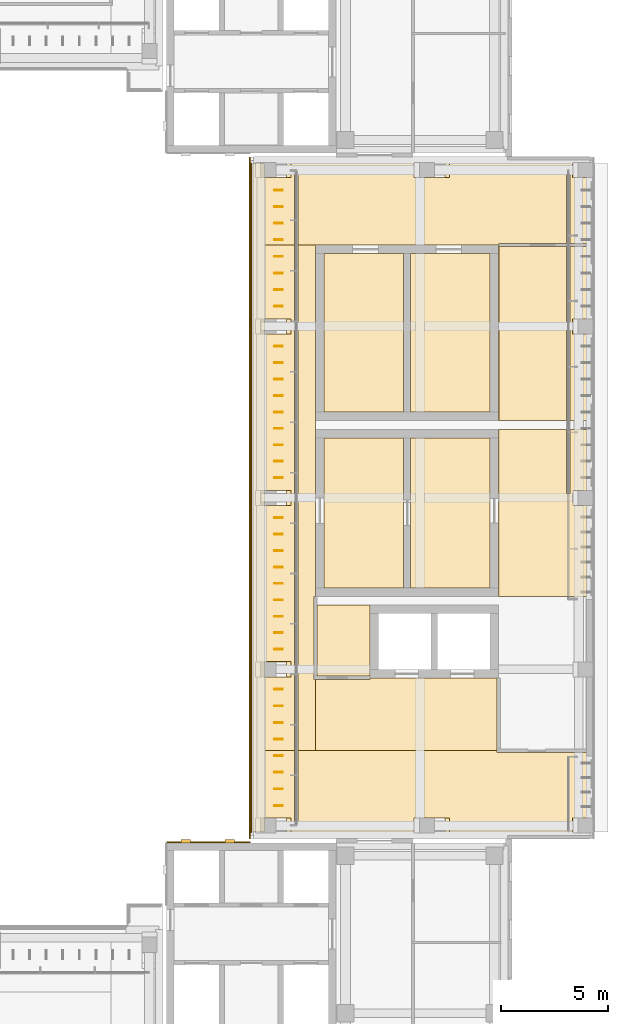
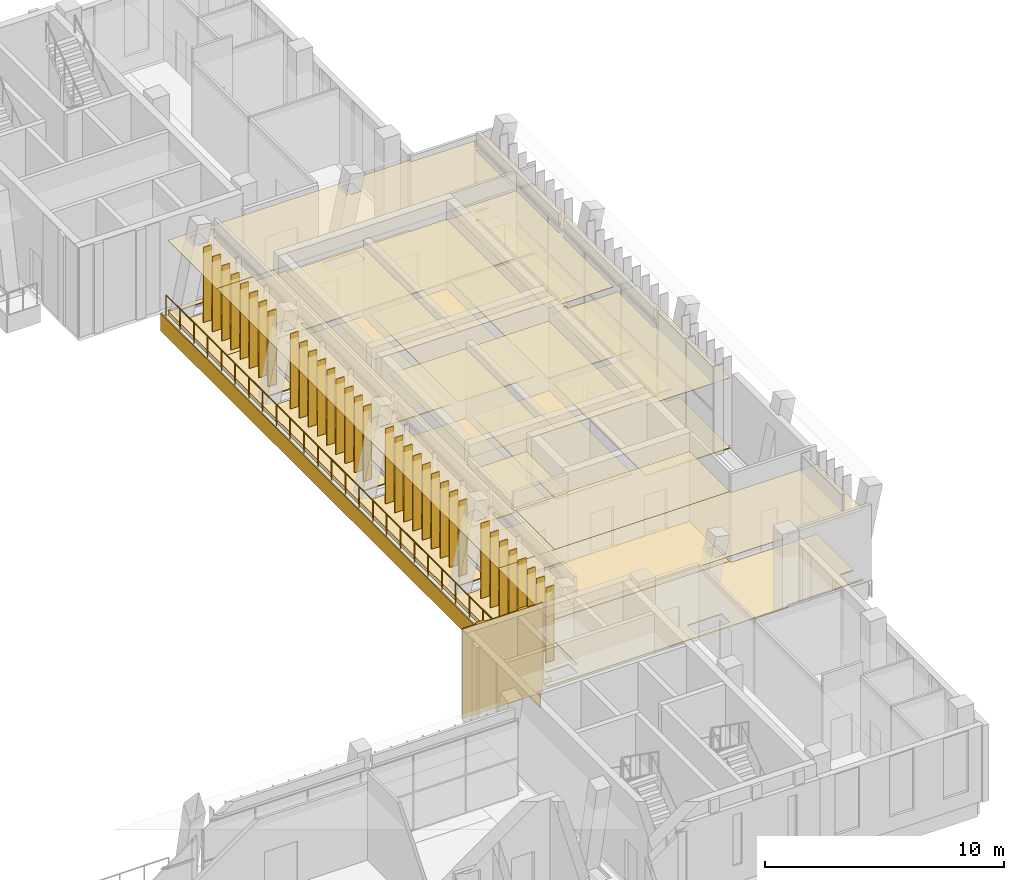
# One storey, part 71 of 74: 34 shading devices, 27 coverings, 1 railing.
"""IFC4 building model written with IfcOpenShell, lengths in metres."""

from ifc_helpers import new_model, si_unit, direction, frame, frame_2d, origin, origin_2d, place, context, subcontext, project, spatial, polyline, rectangle, circle, outline, extrude, material, layer, layer_set, type_object, element, save


model = new_model("IFC4")

# Units and contexts
model_context = context("Model", 3, precision=1e-05, world=origin(), true_north=direction((0.0, 1.0)))
body_context = subcontext(model_context, "Body", "Model", "MODEL_VIEW")
ifc_project = project(units=[si_unit("LENGTHUNIT", "METRE"), si_unit("AREAUNIT", "SQUARE_METRE"), si_unit("VOLUMEUNIT", "CUBIC_METRE"), si_unit("PLANEANGLEUNIT", "RADIAN"), si_unit("MASSUNIT", "GRAM", prefix="KILO")], contexts=[model_context])

# Site, building, storey
site_placement = place(None, origin())
site = spatial("IfcSite", under=ifc_project, at=site_placement, CompositionType="ELEMENT")
building_placement = place(site_placement, origin())
building = spatial("IfcBuilding", under=site, at=building_placement, Name="Lantern Court Media Centre", CompositionType="ELEMENT")
storey_placement = place(building_placement, frame((0.0, 0.0, 19.199951171875)))
storey = spatial("IfcBuildingStorey", under=building, at=storey_placement, Name="L04", CompositionType="ELEMENT", Elevation=19.199951171875)

# Coverings
ifc_material_1 = material(Name="Carpet")
ifc_layer_1 = layer(ifc_material_1, 0.050048828125)
ifc_layer_set_1 = layer_set([ifc_layer_1], Name="Carpet")
covering_type_1 = type_object("IfcCoveringType", Name="Carpet floor finish", PredefinedType="FLOORING", material=ifc_layer_set_1)
covering_1_placement = place(storey_placement, origin())
element("IfcCovering", 1, at=covering_1_placement, inside=storey, type_object=covering_type_1, Name="Radio Studio 01 floor finish", PredefinedType="FLOORING", context=body_context, shape_type="SweptSolid", body=[
    extrude(outline(polyline([(87.455078125, 75.804931640625), (87.455078125, 82.794921875), (91.159912109375, 82.794921875), (91.159912109375, 75.804931640625), (87.455078125, 75.804931640625)])), origin(), (0.0, 0.0, 1.0), 0.050048828125),
])
covering_2_placement = place(storey_placement, origin())
element("IfcCovering", 2, at=covering_2_placement, inside=storey, type_object=covering_type_1, Name="Radio Control Room 01 floor finish", PredefinedType="FLOORING", context=body_context, shape_type="SweptSolid", body=[
    extrude(outline(polyline([(91.489990234375, 75.804931640625), (91.489990234375, 82.794921875), (95.195068359375, 82.794921875), (95.195068359375, 75.804931640625), (91.489990234375, 75.804931640625)])), origin(), (0.0, 0.0, 1.0), 0.050048828125),
])
covering_3_placement = place(storey_placement, origin())
element("IfcCovering", 3, at=covering_3_placement, inside=storey, type_object=covering_type_1, Name="Engineering Workshop floor finish", PredefinedType="FLOORING", context=body_context, shape_type="SweptSolid", body=[
    extrude(outline(polyline([(99.699951171875, 75.39990234375), (95.60498046875, 75.39990234375), (95.60498046875, 83.199951171875), (98.77001953125, 83.199951171875), (98.77490234375, 80.195068359375), (98.929931640625, 80.199462890625), (98.929931640625, 83.199951171875), (99.699951171875, 83.199951171875), (99.699951171875, 80.35498046875), (99.044921875, 80.35009765625), (99.04638671875, 79.646484375), (99.699951171875, 79.64501953125), (99.699951171875, 75.39990234375)])), origin(), (0.0, 0.0, 1.0), 0.050048828125),
])
covering_4_placement = place(storey_placement, origin())
element("IfcCovering", 4, at=covering_4_placement, inside=storey, type_object=covering_type_1, Name="Radio Studio 02 floor finish", PredefinedType="FLOORING", context=body_context, shape_type="SweptSolid", body=[
    extrude(outline(polyline([(87.455078125, 84.0048828125), (87.455078125, 91.39501953125), (91.159912109375, 91.39501953125), (91.159912109375, 84.0048828125), (87.455078125, 84.0048828125)])), origin(), (0.0, 0.0, 1.0), 0.050048828125),
])
covering_5_placement = place(storey_placement, origin())
element("IfcCovering", 5, at=covering_5_placement, inside=storey, type_object=covering_type_1, Name="Radio Control Room 02 floor finish", PredefinedType="FLOORING", context=body_context, shape_type="SweptSolid", body=[
    extrude(outline(polyline([(91.489990234375, 91.39501953125), (95.195068359375, 91.39501953125), (95.195068359375, 84.0048828125), (91.489990234375, 84.0048828125), (91.489990234375, 91.39501953125)])), origin(), (0.0, 0.0, 1.0), 0.050048828125),
])
covering_6_placement = place(storey_placement, origin())
element("IfcCovering", 6, at=covering_6_placement, inside=storey, type_object=covering_type_1, Name="Engineering Workshop floor finish", PredefinedType="FLOORING", context=body_context, shape_type="SweptSolid", body=[
    extrude(outline(polyline([(99.699951171875, 83.60009765625), (98.929931640625, 83.60009765625), (98.925048828125, 87.804931640625), (98.77001953125, 87.800048828125), (98.77001953125, 83.60009765625), (95.60498046875, 83.60009765625), (95.60498046875, 91.732421875), (98.77001953125, 91.732421875), (98.77490234375, 88.195068359375), (98.929931640625, 88.199951171875), (98.929931640625, 91.732421875), (99.699951171875, 91.732421875), (99.699951171875, 88.35498046875), (99.044921875, 88.35009765625), (99.04638671875, 87.646484375), (99.699951171875, 87.64501953125), (99.699951171875, 83.60009765625)])), origin(), (0.0, 0.0, 1.0), 0.050048828125),
])
ifc_material_2 = material(Name="Ceramic tile")
ifc_layer_2 = layer(ifc_material_2, 0.050048828125)
ifc_layer_set_2 = layer_set([ifc_layer_2], Name="Ceramic tile")
covering_type_2 = type_object("IfcCoveringType", Name="Ceramic tile floor finish", PredefinedType="FLOORING", material=ifc_layer_set_2)
covering_7_placement = place(storey_placement, origin())
element("IfcCovering", 7, at=covering_7_placement, inside=storey, type_object=covering_type_2, Name="Accessible WC floor finish", PredefinedType="FLOORING", context=body_context, shape_type="SweptSolid", body=[
    extrude(outline(polyline([(89.594970703125, 75.0), (89.594970703125, 71.679931640625), (87.1298828125, 71.679931640625), (87.1298828125, 75.0), (89.594970703125, 75.0)])), origin(), (0.0, 0.0, 1.0), 0.050048828125),
])
ifc_material_3 = material(Name="White glass-fibre reinforced cement cladding", Category="concrete")
ifc_layer_3 = layer(ifc_material_3, 0.050048828125)
ifc_layer_set_3 = layer_set([ifc_layer_3], Name="White glass-fibre reinforced cement cladding")
covering_type_3 = type_object("IfcCoveringType", Name="Floor-edge band 50", PredefinedType="CLADDING", material=ifc_layer_set_3)
covering_8_placement = place(storey_placement, frame((83.97509765625, 64.10009765625, -0.89990234375), z_axis=(0.0, 0.0, 1.0), x_axis=(0.0, 1.0, 0.0)))
element("IfcCovering", 8, at=covering_8_placement, inside=storey, type_object=covering_type_3, Name="Floor-edge band E inner L04", PredefinedType="CLADDING", context=body_context, shape_type="SweptSolid", body=[
    extrude(rectangle(XDim=31.7998046875, YDim=0.050048828125, at=frame_2d((15.89990234375, 0.0))), origin(), (0.0, 0.0, 1.0), 0.89990234375),
])

# Railing
ifc_material_4 = material(Name="Painted mild steel balustrade", Category="steel")
railing_type = type_object("IfcRailingType", Name="Guard 1100 steel balustrade", PredefinedType="GUARDRAIL", material=ifc_material_4)
railing_placement = place(storey_placement, frame((84.050048828125, 64.39990234375, 0.0)))
element("IfcRailing", 9, at=railing_placement, inside=storey, type_object=railing_type, Name="Ledge guard E L04", PredefinedType="GUARDRAIL", context=body_context, shape_type="SweptSolid", body=[
    extrude(circle(Radius=0.02392578125, at=origin_2d()), frame((0.0, 0.0, 1.076171875), z_axis=(0.0, 1.0, 0.0), x_axis=(-1.0, 0.0, 0.0)), (0.0, 0.0, 1.0), 31.2001953125),
    extrude(circle(Radius=0.02099609375, at=origin_2d()), origin(), (0.0, 0.0, 1.0), 1.052001953125),
    extrude(circle(Radius=0.02099609375, at=origin_2d()), frame((0.0, 1.155517578125, 0.0)), (0.0, 0.0, 1.0), 1.052001953125),
    extrude(circle(Radius=0.02099609375, at=origin_2d()), frame((0.0, 2.31103515625, 0.0)), (0.0, 0.0, 1.0), 1.052001953125),
    extrude(circle(Radius=0.02099609375, at=origin_2d()), frame((0.0, 3.466796875, 0.0)), (0.0, 0.0, 1.0), 1.052001953125),
    extrude(circle(Radius=0.02099609375, at=origin_2d()), frame((0.0, 4.622314453125, 0.0)), (0.0, 0.0, 1.0), 1.052001953125),
    extrude(circle(Radius=0.02099609375, at=origin_2d()), frame((0.0, 5.77783203125, 0.0)), (0.0, 0.0, 1.0), 1.052001953125),
    extrude(circle(Radius=0.02099609375, at=origin_2d()), frame((0.0, 6.933349609375, 0.0)), (0.0, 0.0, 1.0), 1.052001953125),
    extrude(circle(Radius=0.02099609375, at=origin_2d()), frame((0.0, 8.0888671875, 0.0)), (0.0, 0.0, 1.0), 1.052001953125),
    extrude(circle(Radius=0.02099609375, at=origin_2d()), frame((0.0, 9.244384765625, 0.0)), (0.0, 0.0, 1.0), 1.052001953125),
    extrude(circle(Radius=0.02099609375, at=origin_2d()), frame((0.0, 10.400146484375, 0.0)), (0.0, 0.0, 1.0), 1.052001953125),
    extrude(circle(Radius=0.02099609375, at=origin_2d()), frame((0.0, 11.5556640625, 0.0)), (0.0, 0.0, 1.0), 1.052001953125),
    extrude(circle(Radius=0.02099609375, at=origin_2d()), frame((0.0, 12.711181640625, 0.0)), (0.0, 0.0, 1.0), 1.052001953125),
    extrude(circle(Radius=0.02099609375, at=origin_2d()), frame((0.0, 13.86669921875, 0.0)), (0.0, 0.0, 1.0), 1.052001953125),
    extrude(circle(Radius=0.02099609375, at=origin_2d()), frame((0.0, 15.022216796875, 0.0)), (0.0, 0.0, 1.0), 1.052001953125),
    extrude(circle(Radius=0.02099609375, at=origin_2d()), frame((0.0, 16.177978515625, 0.0)), (0.0, 0.0, 1.0), 1.052001953125),
    extrude(circle(Radius=0.02099609375, at=origin_2d()), frame((0.0, 17.33349609375, 0.0)), (0.0, 0.0, 1.0), 1.052001953125),
    extrude(circle(Radius=0.02099609375, at=origin_2d()), frame((0.0, 18.489013671875, 0.0)), (0.0, 0.0, 1.0), 1.052001953125),
    extrude(circle(Radius=0.02099609375, at=origin_2d()), frame((0.0, 19.64453125, 0.0)), (0.0, 0.0, 1.0), 1.052001953125),
    extrude(circle(Radius=0.02099609375, at=origin_2d()), frame((0.0, 20.800048828125, 0.0)), (0.0, 0.0, 1.0), 1.052001953125),
    extrude(circle(Radius=0.02099609375, at=origin_2d()), frame((0.0, 21.955810546875, 0.0)), (0.0, 0.0, 1.0), 1.052001953125),
    extrude(circle(Radius=0.02099609375, at=origin_2d()), frame((0.0, 23.111328125, 0.0)), (0.0, 0.0, 1.0), 1.052001953125),
    extrude(circle(Radius=0.02099609375, at=origin_2d()), frame((0.0, 24.266845703125, 0.0)), (0.0, 0.0, 1.0), 1.052001953125),
    extrude(circle(Radius=0.02099609375, at=origin_2d()), frame((0.0, 25.42236328125, 0.0)), (0.0, 0.0, 1.0), 1.052001953125),
    extrude(circle(Radius=0.02099609375, at=origin_2d()), frame((0.0, 26.577880859375, 0.0)), (0.0, 0.0, 1.0), 1.052001953125),
    extrude(circle(Radius=0.02099609375, at=origin_2d()), frame((0.0, 27.7333984375, 0.0)), (0.0, 0.0, 1.0), 1.052001953125),
    extrude(circle(Radius=0.02099609375, at=origin_2d()), frame((0.0, 28.88916015625, 0.0)), (0.0, 0.0, 1.0), 1.052001953125),
    extrude(circle(Radius=0.02099609375, at=origin_2d()), frame((0.0, 30.044677734375, 0.0)), (0.0, 0.0, 1.0), 1.052001953125),
    extrude(circle(Radius=0.02099609375, at=origin_2d()), frame((0.0, 31.2001953125, 0.0)), (0.0, 0.0, 1.0), 1.052001953125),
])

# Coverings
ifc_material_5 = material(Name="Honed limestone cladding", Category="masonry")
ifc_layer_4 = layer(ifc_material_5, 0.050048828125)
ifc_layer_set_4 = layer_set([ifc_layer_4], Name="Honed limestone cladding")
covering_type_4 = type_object("IfcCoveringType", Name="Limestone cladding panel 50", PredefinedType="CLADDING", material=ifc_layer_set_4)
covering_9_placement = place(storey_placement, frame((80.10009765625, 63.925048828125, 0.0), z_axis=(0.0, 0.0, 1.0), x_axis=(1.0, 0.0, 0.0)))
element("IfcCovering", 10, at=covering_9_placement, inside=storey, type_object=covering_type_4, Name="Limestone joint cladding E-SE L04", PredefinedType="CLADDING", context=body_context, shape_type="SweptSolid", body=[
    extrude(rectangle(XDim=3.89990234375, YDim=0.050048828125, at=frame_2d((1.949951171875, 0.0))), origin(), (0.0, 0.0, 1.0), 4.580078125),
])
ifc_layer_5 = layer(ifc_material_5, 0.14990234375)
ifc_layer_set_5 = layer_set([ifc_layer_5], Name="Honed limestone cladding")
covering_type_5 = type_object("IfcCoveringType", Name="Limestone pilaster cladding 150", PredefinedType="CLADDING", material=ifc_layer_set_5)
covering_10_placement = place(storey_placement, frame((80.77490234375, 63.97509765625, 0.0), z_axis=(0.0, 0.0, 1.0), x_axis=(1.0, 0.0, 0.0)))
element("IfcCovering", 11, at=covering_10_placement, inside=storey, type_object=covering_type_5, Name="Limestone pilaster rib", PredefinedType="CLADDING", context=body_context, shape_type="SweptSolid", body=[
    extrude(rectangle(XDim=0.4501953125, YDim=0.14990234375, at=frame_2d((0.22509765625, 0.0))), origin(), (0.0, 0.0, 1.0), 4.580078125),
])
covering_11_placement = place(storey_placement, frame((82.824951171875, 63.97509765625, 0.0), z_axis=(0.0, 0.0, 1.0), x_axis=(1.0, 0.0, 0.0)))
element("IfcCovering", 12, at=covering_11_placement, inside=storey, type_object=covering_type_5, Name="Limestone pilaster rib", PredefinedType="CLADDING", context=body_context, shape_type="SweptSolid", body=[
    extrude(rectangle(XDim=0.449951171875, YDim=0.14990234375, at=frame_2d((0.22509765625, 0.0))), origin(), (0.0, 0.0, 1.0), 4.580078125),
])
ifc_material_6 = material(Name="Planting substrate")
ifc_layer_6 = layer(ifc_material_6, 0.199951171875)
ifc_layer_set_6 = layer_set([ifc_layer_6], Name="Planting substrate")
covering_type_6 = type_object("IfcCoveringType", Name="Planted ledge build-up 200", PredefinedType="ROOFING", material=ifc_layer_set_6)
covering_12_placement = place(storey_placement, origin())
element("IfcCovering", 13, at=covering_12_placement, inside=storey, type_object=covering_type_6, Name="Planted ledge E L04", PredefinedType="ROOFING", context=body_context, shape_type="SweptSolid", body=[
    extrude(outline(polyline([(84.14990234375, 64.39990234375), (84.14990234375, 95.60009765625), (84.679931640625, 95.60009765625), (84.679931640625, 64.39990234375), (84.14990234375, 64.39990234375)])), origin(), (0.0, 0.0, 1.0), 0.199951171875),
])
ifc_material_7 = material(Name="Mineral fibre ceiling tile")
ifc_layer_7 = layer(ifc_material_7, 0.02001953125)
ifc_layer_set_7 = layer_set([ifc_layer_7], Name="Mineral fibre ceiling tile")
covering_type_7 = type_object("IfcCoveringType", Name="Suspended ceiling tile", PredefinedType="CEILING", material=ifc_layer_set_7)
covering_13_placement = place(storey_placement, frame((0.0, 0.0, 3.60009765625)))
element("IfcCovering", 14, at=covering_13_placement, inside=storey, type_object=covering_type_7, Name="End Lobby ceiling", PredefinedType="CEILING", context=body_context, shape_type="SweptSolid", body=[
    extrude(outline(polyline([(99.699951171875, 64.240478515625), (96.0, 64.240478515625), (95.99951171875, 64.10009765625), (84.300048828125, 64.10009765625), (84.300048828125, 68.199951171875), (86.074462890625, 68.199951171875), (86.074951171875, 64.8994140625), (86.2255859375, 64.89990234375), (86.2255859375, 68.199951171875), (95.51953125, 68.199951171875), (95.52001953125, 68.119384765625), (99.695068359375, 68.119384765625), (99.699462890625, 68.199951171875), (99.699951171875, 64.240478515625)]), holes=[polyline([(93.10205078125, 64.349609375), (93.1025390625, 65.05029296875), (92.60400390625, 65.050537109375), (92.603759765625, 64.349609375), (93.10205078125, 64.349609375)]), polyline([(85.70263671875, 65.050048828125), (85.203857421875, 65.05029296875), (85.203857421875, 64.349609375), (85.70263671875, 64.349609375), (85.70263671875, 65.050048828125)])]), origin(), (0.0, 0.0, 1.0), 0.02001953125),
])
covering_14_placement = place(storey_placement, frame((0.0, 0.0, 3.60009765625)))
element("IfcCovering", 15, at=covering_14_placement, inside=storey, type_object=covering_type_7, Name="End Lobby ceiling", PredefinedType="CEILING", context=body_context, shape_type="SweptSolid", body=[
    extrude(outline(polyline([(99.699951171875, 91.863037109375), (98.929931640625, 91.863037109375), (98.925537109375, 91.800048828125), (98.925537109375, 95.10009765625), (98.77490234375, 95.1005859375), (98.7744140625, 91.800048828125), (98.77001953125, 91.863037109375), (95.60498046875, 91.863037109375), (95.6044921875, 91.800048828125), (86.2255859375, 91.800048828125), (86.2255859375, 95.10009765625), (86.074951171875, 95.1005859375), (86.074462890625, 91.800048828125), (84.300048828125, 91.800048828125), (84.300048828125, 95.89990234375), (95.99951171875, 95.89990234375), (96.0, 95.759521484375), (99.699951171875, 95.759521484375), (99.699951171875, 91.863037109375)]), holes=[polyline([(93.10205078125, 94.949462890625), (93.1025390625, 95.650390625), (92.60400390625, 95.650390625), (92.603759765625, 94.94970703125), (93.10205078125, 94.949462890625)]), polyline([(85.7021484375, 94.949462890625), (85.70263671875, 95.650390625), (85.203857421875, 95.650390625), (85.203857421875, 94.94970703125), (85.7021484375, 94.949462890625)])]), origin(), (0.0, 0.0, 1.0), 0.02001953125),
])
covering_15_placement = place(storey_placement, frame((0.0, 0.0, 3.60009765625)))
element("IfcCovering", 16, at=covering_15_placement, inside=storey, type_object=covering_type_7, Name="Lift Lobby ceiling", PredefinedType="CEILING", context=body_context, shape_type="SweptSolid", body=[
    extrude(outline(polyline([(95.60009765625, 71.595458984375), (95.51953125, 71.594970703125), (95.51953125, 68.199951171875), (87.050048828125, 68.199951171875), (87.050048828125, 71.5244140625), (89.594970703125, 71.5244140625), (89.595458984375, 71.60009765625), (95.60009765625, 71.595458984375)])), origin(), (0.0, 0.0, 1.0), 0.02001953125),
])
covering_16_placement = place(storey_placement, frame((0.0, 0.0, 3.60009765625)))
element("IfcCovering", 17, at=covering_16_placement, inside=storey, type_object=covering_type_7, Name="Accessible WC ceiling", PredefinedType="CEILING", context=body_context, shape_type="SweptSolid", body=[
    extrude(outline(polyline([(89.599609375, 75.0), (89.599609375, 71.60009765625), (89.594970703125, 71.675537109375), (87.12548828125, 71.675537109375), (87.12548828125, 75.0), (89.599609375, 75.0)])), origin(), (0.0, 0.0, 1.0), 0.02001953125),
])
covering_17_placement = place(storey_placement, frame((0.0, 0.0, 3.60009765625)))
element("IfcCovering", 18, at=covering_17_placement, inside=storey, type_object=covering_type_7, Name="Radio Studio 01 ceiling", PredefinedType="CEILING", context=body_context, shape_type="SweptSolid", body=[
    extrude(outline(polyline([(91.324951171875, 75.800537109375), (87.450439453125, 75.800537109375), (87.450439453125, 82.799560546875), (91.324951171875, 82.799560546875), (91.16455078125, 82.794921875), (91.16455078125, 75.804931640625), (91.324951171875, 75.800537109375)])), origin(), (0.0, 0.0, 1.0), 0.02001953125),
])
covering_18_placement = place(storey_placement, frame((0.0, 0.0, 3.60009765625)))
element("IfcCovering", 19, at=covering_18_placement, inside=storey, type_object=covering_type_7, Name="Radio Control Room 01 ceiling", PredefinedType="CEILING", context=body_context, shape_type="SweptSolid", body=[
    extrude(outline(polyline([(91.324951171875, 82.799560546875), (95.199462890625, 82.799560546875), (95.199462890625, 75.800537109375), (91.324951171875, 75.800537109375), (91.485595703125, 75.804931640625), (91.485595703125, 82.794921875), (91.324951171875, 82.799560546875)])), origin(), (0.0, 0.0, 1.0), 0.02001953125),
])
covering_19_placement = place(storey_placement, frame((0.0, 0.0, 3.60009765625)))
element("IfcCovering", 20, at=covering_19_placement, inside=storey, type_object=covering_type_7, Name="Engineering Workshop ceiling", PredefinedType="CEILING", context=body_context, shape_type="SweptSolid", body=[
    extrude(outline(polyline([(99.699951171875, 83.199951171875), (99.699951171875, 75.39990234375), (95.6005859375, 75.39990234375), (95.6005859375, 83.199951171875), (98.7744140625, 83.199951171875), (98.77490234375, 80.199462890625), (98.925537109375, 80.199951171875), (98.925537109375, 83.199951171875), (99.699951171875, 83.199951171875)])), origin(), (0.0, 0.0, 1.0), 0.02001953125),
])
covering_20_placement = place(storey_placement, frame((0.0, 0.0, 3.60009765625)))
element("IfcCovering", 21, at=covering_20_placement, inside=storey, type_object=covering_type_7, Name="Radio Studio 02 ceiling", PredefinedType="CEILING", context=body_context, shape_type="SweptSolid", body=[
    extrude(outline(polyline([(91.324951171875, 84.00048828125), (87.450439453125, 84.00048828125), (87.450439453125, 91.3994140625), (91.324951171875, 91.3994140625), (91.16455078125, 91.39501953125), (91.16455078125, 84.0048828125), (91.324951171875, 84.00048828125)])), origin(), (0.0, 0.0, 1.0), 0.02001953125),
])
covering_21_placement = place(storey_placement, frame((0.0, 0.0, 3.60009765625)))
element("IfcCovering", 22, at=covering_21_placement, inside=storey, type_object=covering_type_7, Name="Radio Control Room 02 ceiling", PredefinedType="CEILING", context=body_context, shape_type="SweptSolid", body=[
    extrude(outline(polyline([(91.324951171875, 91.3994140625), (95.199462890625, 91.3994140625), (95.199462890625, 84.00048828125), (91.324951171875, 84.00048828125), (91.485595703125, 84.0048828125), (91.485595703125, 91.39501953125), (91.324951171875, 91.3994140625)])), origin(), (0.0, 0.0, 1.0), 0.02001953125),
])
covering_22_placement = place(storey_placement, frame((0.0, 0.0, 3.60009765625)))
element("IfcCovering", 23, at=covering_22_placement, inside=storey, type_object=covering_type_7, Name="Engineering Workshop ceiling", PredefinedType="CEILING", context=body_context, shape_type="SweptSolid", body=[
    extrude(outline(polyline([(99.699951171875, 83.60009765625), (98.925537109375, 83.60009765625), (98.925048828125, 87.800537109375), (98.7744140625, 87.800048828125), (98.7744140625, 83.60009765625), (95.6005859375, 83.60009765625), (95.6005859375, 91.800048828125), (95.60498046875, 91.737060546875), (98.77001953125, 91.737060546875), (98.7744140625, 91.800048828125), (98.77490234375, 88.199462890625), (98.925537109375, 88.199951171875), (98.925537109375, 91.800048828125), (98.929931640625, 91.737060546875), (99.699951171875, 91.737060546875), (99.699951171875, 83.60009765625)])), origin(), (0.0, 0.0, 1.0), 0.02001953125),
])
covering_23_placement = place(storey_placement, frame((0.0, 0.0, 3.60009765625)))
element("IfcCovering", 24, at=covering_23_placement, inside=storey, type_object=covering_type_7, Name="Corridor ceiling", PredefinedType="CEILING", context=body_context, shape_type="SweptSolid", body=[
    extrude(outline(polyline([(87.050048828125, 68.199951171875), (86.2255859375, 68.199951171875), (86.22509765625, 71.800537109375), (86.074462890625, 71.800048828125), (86.074462890625, 68.199951171875), (84.300048828125, 68.199951171875), (84.300048828125, 91.800048828125), (86.074462890625, 91.800048828125), (86.074951171875, 88.199462890625), (86.2255859375, 88.199951171875), (86.2255859375, 91.800048828125), (87.049560546875, 91.800048828125), (87.049560546875, 75.400390625), (86.974609375, 75.39990234375), (86.974609375, 71.52490234375), (87.050048828125, 71.5244140625), (87.050048828125, 68.199951171875)]), holes=[polyline([(86.22509765625, 72.199462890625), (86.2255859375, 79.800048828125), (86.074951171875, 79.800537109375), (86.074462890625, 72.199951171875), (86.22509765625, 72.199462890625)]), polyline([(86.22509765625, 80.199462890625), (86.2255859375, 87.800048828125), (86.074951171875, 87.800537109375), (86.074462890625, 80.199951171875), (86.22509765625, 80.199462890625)]), polyline([(85.7021484375, 79.6494140625), (85.70263671875, 80.350341796875), (85.203857421875, 80.350341796875), (85.203857421875, 79.649658203125), (85.7021484375, 79.6494140625)]), polyline([(85.7021484375, 71.6494140625), (85.70263671875, 72.350341796875), (85.203857421875, 72.350341796875), (85.203857421875, 71.649658203125), (85.7021484375, 71.6494140625)]), polyline([(85.70263671875, 88.35009765625), (85.203857421875, 88.350341796875), (85.203857421875, 87.649658203125), (85.70263671875, 87.649658203125), (85.70263671875, 88.35009765625)])]), origin(), (0.0, 0.0, 1.0), 0.02001953125),
])
ifc_material_8 = material(Name="Terrazzo")
ifc_layer_8 = layer(ifc_material_8, 0.050048828125)
ifc_layer_set_8 = layer_set([ifc_layer_8], Name="Terrazzo")
covering_type_8 = type_object("IfcCoveringType", Name="Terrazzo floor finish", PredefinedType="FLOORING", material=ifc_layer_set_8)
covering_24_placement = place(storey_placement, origin())
element("IfcCovering", 25, at=covering_24_placement, inside=storey, type_object=covering_type_8, Name="End Lobby floor finish", PredefinedType="FLOORING", context=body_context, shape_type="SweptSolid", body=[
    extrude(outline(polyline([(99.699951171875, 64.2451171875), (96.0, 64.2451171875), (95.9951171875, 64.10009765625), (84.300048828125, 64.10009765625), (84.300048828125, 64.344970703125), (85.9091796875, 64.35009765625), (85.906005859375, 65.0546875), (84.300048828125, 65.054931640625), (84.300048828125, 68.199951171875), (86.070068359375, 68.199951171875), (86.074951171875, 64.89501953125), (86.22998046875, 64.89990234375), (86.22998046875, 68.199951171875), (95.514892578125, 68.199951171875), (95.52001953125, 68.114990234375), (99.695068359375, 68.114990234375), (99.699951171875, 65.054931640625), (99.04638671875, 65.053466796875), (99.044921875, 64.35009765625), (99.699951171875, 64.344970703125), (99.699951171875, 64.2451171875)]), holes=[polyline([(93.30419921875, 64.344970703125), (93.30615234375, 65.0546875), (91.645263671875, 65.052001953125), (91.648193359375, 64.345458984375), (93.30419921875, 64.344970703125)])]), origin(), (0.0, 0.0, 1.0), 0.050048828125),
])
covering_25_placement = place(storey_placement, origin())
element("IfcCovering", 26, at=covering_25_placement, inside=storey, type_object=covering_type_8, Name="End Lobby floor finish", PredefinedType="FLOORING", context=body_context, shape_type="SweptSolid", body=[
    extrude(outline(polyline([(99.699951171875, 91.867431640625), (98.929931640625, 91.867431640625), (98.929931640625, 95.10009765625), (98.77490234375, 95.10498046875), (98.77001953125, 91.867431640625), (95.60498046875, 91.867431640625), (95.60009765625, 91.804931640625), (86.22998046875, 91.800048828125), (86.22998046875, 95.10009765625), (86.074951171875, 95.10498046875), (86.070068359375, 91.800048828125), (84.300048828125, 91.800048828125), (84.300048828125, 94.945068359375), (85.9091796875, 94.949951171875), (85.906494140625, 95.654296875), (84.300048828125, 95.655029296875), (84.300048828125, 95.89990234375), (95.9951171875, 95.89990234375), (96.0, 95.7548828125), (99.699951171875, 95.7548828125), (99.699951171875, 95.655029296875), (99.044921875, 95.64990234375), (99.04638671875, 94.946533203125), (99.699951171875, 94.945068359375), (99.699951171875, 91.867431640625)]), holes=[polyline([(93.30419921875, 94.945068359375), (93.30615234375, 95.654541015625), (91.645263671875, 95.65185546875), (91.648193359375, 94.9453125), (93.30419921875, 94.945068359375)])]), origin(), (0.0, 0.0, 1.0), 0.050048828125),
])
covering_26_placement = place(storey_placement, origin())
element("IfcCovering", 27, at=covering_26_placement, inside=storey, type_object=covering_type_8, Name="Lift Lobby floor finish", PredefinedType="FLOORING", context=body_context, shape_type="SweptSolid", body=[
    extrude(outline(polyline([(87.050048828125, 68.199951171875), (87.050048828125, 71.52001953125), (89.594970703125, 71.52001953125), (89.60009765625, 71.594970703125), (95.514892578125, 71.594970703125), (95.514892578125, 68.199951171875), (87.050048828125, 68.199951171875)])), origin(), (0.0, 0.0, 1.0), 0.050048828125),
])
covering_27_placement = place(storey_placement, origin())
element("IfcCovering", 28, at=covering_27_placement, inside=storey, type_object=covering_type_8, Name="Corridor floor finish", PredefinedType="FLOORING", context=body_context, shape_type="SweptSolid", body=[
    extrude(outline(polyline([(87.050048828125, 68.199951171875), (86.22998046875, 68.199951171875), (86.22509765625, 71.804931640625), (86.070068359375, 71.800048828125), (86.070068359375, 68.199951171875), (84.300048828125, 68.199951171875), (84.300048828125, 71.64501953125), (85.9091796875, 71.64990234375), (85.906005859375, 72.354736328125), (84.300048828125, 72.35498046875), (84.300048828125, 79.64501953125), (85.9091796875, 79.64990234375), (85.906005859375, 80.354736328125), (84.300048828125, 80.35498046875), (84.300048828125, 87.64501953125), (85.9091796875, 87.64990234375), (85.906005859375, 88.354736328125), (84.300048828125, 88.35498046875), (84.300048828125, 91.800048828125), (86.070068359375, 91.800048828125), (86.074951171875, 88.195068359375), (86.22998046875, 88.199951171875), (86.22998046875, 91.800048828125), (87.044921875, 91.800048828125), (87.044921875, 75.405029296875), (86.969970703125, 75.39990234375), (86.969970703125, 71.52490234375), (87.050048828125, 71.52001953125), (87.050048828125, 68.199951171875)]), holes=[polyline([(86.22509765625, 80.195068359375), (86.22998046875, 87.800048828125), (86.074951171875, 87.804931640625), (86.070068359375, 80.199951171875), (86.22509765625, 80.195068359375)]), polyline([(86.070068359375, 72.199951171875), (86.22998046875, 72.199951171875), (86.22509765625, 79.804931640625), (86.070068359375, 79.800048828125), (86.070068359375, 72.199951171875)])]), origin(), (0.0, 0.0, 1.0), 0.050048828125),
])

# Shading devices
ifc_material_9 = material(Name="Bronze anodised aluminium louvre", Category="aluminium")
ifc_layer_9 = layer(ifc_material_9, 0.0400390625)
ifc_layer_set_9 = layer_set([ifc_layer_9], Name="Bronze anodised aluminium louvre")
shading_device_type = type_object("IfcShadingDeviceType", Name="Vertical louvre 40x400 under beam", PredefinedType="USERDEFINED", material=ifc_layer_set_9)
for number, where, z_axis, x_axis, name in (
    (29, (85.320068359375, 65.637451171875, 0.0), (0.0, 0.0, 1.0), (1.0, 0.0, 0.0), "Vertical louvre E inner L04"),
    (30, (85.320068359375, 66.41259765625, 0.0), (0.0, 0.0, 1.0), (1.0, 0.0, 0.0), "Vertical louvre E inner L04"),
    (31, (85.320068359375, 67.1875, 0.0), (0.0, 0.0, 1.0), (1.0, 0.0, 0.0), "Vertical louvre E inner L04"),
    (32, (85.320068359375, 67.96240234375, 0.0), (0.0, 0.0, 1.0), (1.0, 0.0, 0.0), "Vertical louvre E inner L04"),
    (33, (85.320068359375, 68.737548828125, 0.0), (0.0, 0.0, 1.0), (1.0, 0.0, 0.0), "Vertical louvre E inner L04"),
    (34, (85.320068359375, 69.512451171875, 0.0), (0.0, 0.0, 1.0), (1.0, 0.0, 0.0), "Vertical louvre E inner L04"),
    (35, (85.320068359375, 70.28759765625, 0.0), (0.0, 0.0, 1.0), (1.0, 0.0, 0.0), "Vertical louvre E inner L04"),
    (36, (85.320068359375, 71.0625, 0.0), (0.0, 0.0, 1.0), (1.0, 0.0, 0.0), "Vertical louvre E inner L04"),
    (37, (85.320068359375, 72.933349609375, 0.0), (0.0, 0.0, 1.0), (1.0, 0.0, 0.0), "Vertical louvre E inner L04"),
    (38, (85.320068359375, 73.699951171875, 0.0), (0.0, 0.0, 1.0), (1.0, 0.0, 0.0), "Vertical louvre E inner L04"),
    (39, (85.320068359375, 74.466552734375, 0.0), (0.0, 0.0, 1.0), (1.0, 0.0, 0.0), "Vertical louvre E inner L04"),
    (40, (85.320068359375, 75.2333984375, 0.0), (0.0, 0.0, 1.0), (1.0, 0.0, 0.0), "Vertical louvre E inner L04"),
    (41, (85.320068359375, 76.0, 0.0), (0.0, 0.0, 1.0), (1.0, 0.0, 0.0), "Vertical louvre E inner L04"),
    (42, (85.320068359375, 76.7666015625, 0.0), (0.0, 0.0, 1.0), (1.0, 0.0, 0.0), "Vertical louvre E inner L04"),
    (43, (85.320068359375, 77.533447265625, 0.0), (0.0, 0.0, 1.0), (1.0, 0.0, 0.0), "Vertical louvre E inner L04"),
    (44, (85.320068359375, 78.300048828125, 0.0), (0.0, 0.0, 1.0), (1.0, 0.0, 0.0), "Vertical louvre E inner L04"),
    (45, (85.320068359375, 79.066650390625, 0.0), (0.0, 0.0, 1.0), (1.0, 0.0, 0.0), "Vertical louvre E inner L04"),
    (46, (85.320068359375, 80.933349609375, 0.0), (0.0, 0.0, 1.0), (1.0, 0.0, 0.0), "Vertical louvre E inner L04"),
    (47, (85.320068359375, 81.699951171875, 0.0), (0.0, 0.0, 1.0), (1.0, 0.0, 0.0), "Vertical louvre E inner L04"),
    (48, (85.320068359375, 82.466552734375, 0.0), (0.0, 0.0, 1.0), (1.0, 0.0, 0.0), "Vertical louvre E inner L04"),
    (49, (85.320068359375, 83.2333984375, 0.0), (0.0, 0.0, 1.0), (1.0, 0.0, 0.0), "Vertical louvre E inner L04"),
    (50, (85.320068359375, 84.0, 0.0), (0.0, 0.0, 1.0), (1.0, 0.0, 0.0), "Vertical louvre E inner L04"),
    (51, (85.320068359375, 84.7666015625, 0.0), (0.0, 0.0, 1.0), (1.0, 0.0, 0.0), "Vertical louvre E inner L04"),
    (52, (85.320068359375, 85.533447265625, 0.0), (0.0, 0.0, 1.0), (1.0, 0.0, 0.0), "Vertical louvre E inner L04"),
    (53, (85.320068359375, 86.300048828125, 0.0), (0.0, 0.0, 1.0), (1.0, 0.0, 0.0), "Vertical louvre E inner L04"),
    (54, (85.320068359375, 87.066650390625, 0.0), (0.0, 0.0, 1.0), (1.0, 0.0, 0.0), "Vertical louvre E inner L04"),
    (55, (85.320068359375, 88.9375, 0.0), (0.0, 0.0, 1.0), (1.0, 0.0, 0.0), "Vertical louvre E inner L04"),
    (56, (85.320068359375, 89.71240234375, 0.0), (0.0, 0.0, 1.0), (1.0, 0.0, 0.0), "Vertical louvre E inner L04"),
    (57, (85.320068359375, 90.487548828125, 0.0), (0.0, 0.0, 1.0), (1.0, 0.0, 0.0), "Vertical louvre E inner L04"),
    (58, (85.320068359375, 91.262451171875, 0.0), (0.0, 0.0, 1.0), (1.0, 0.0, 0.0), "Vertical louvre E inner L04"),
    (59, (85.320068359375, 92.03759765625, 0.0), (0.0, 0.0, 1.0), (1.0, 0.0, 0.0), "Vertical louvre E inner L04"),
    (60, (85.320068359375, 92.8125, 0.0), (0.0, 0.0, 1.0), (1.0, 0.0, 0.0), "Vertical louvre E inner L04"),
    (61, (85.320068359375, 93.58740234375, 0.0), (0.0, 0.0, 1.0), (1.0, 0.0, 0.0), "Vertical louvre E inner L04"),
    (62, (85.320068359375, 94.362548828125, 0.0), (0.0, 0.0, 1.0), (1.0, 0.0, 0.0), "Vertical louvre E inner L04"),
):
    element("IfcShadingDevice", number, at=place(storey_placement, frame(where, z_axis=z_axis, x_axis=x_axis)), inside=storey, type_object=shading_device_type, Name=name, ObjectType="VERTICAL LOUVRE", PredefinedType="USERDEFINED", context=body_context, shape_type="SweptSolid", body=[
        extrude(rectangle(XDim=0.39990234375, YDim=0.0400390625, at=origin_2d()), origin(), (0.0, 0.0, 1.0), 3.89990234375),
    ])

save(model, "model.ifc")
